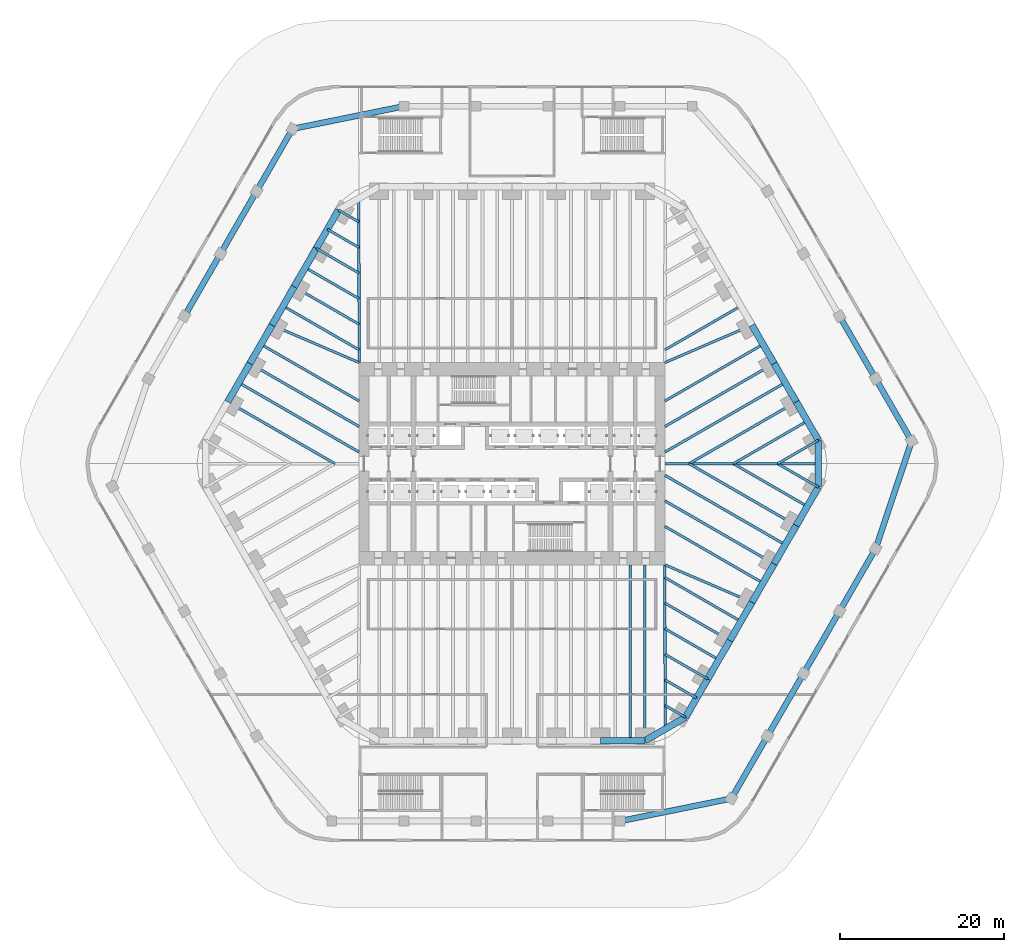
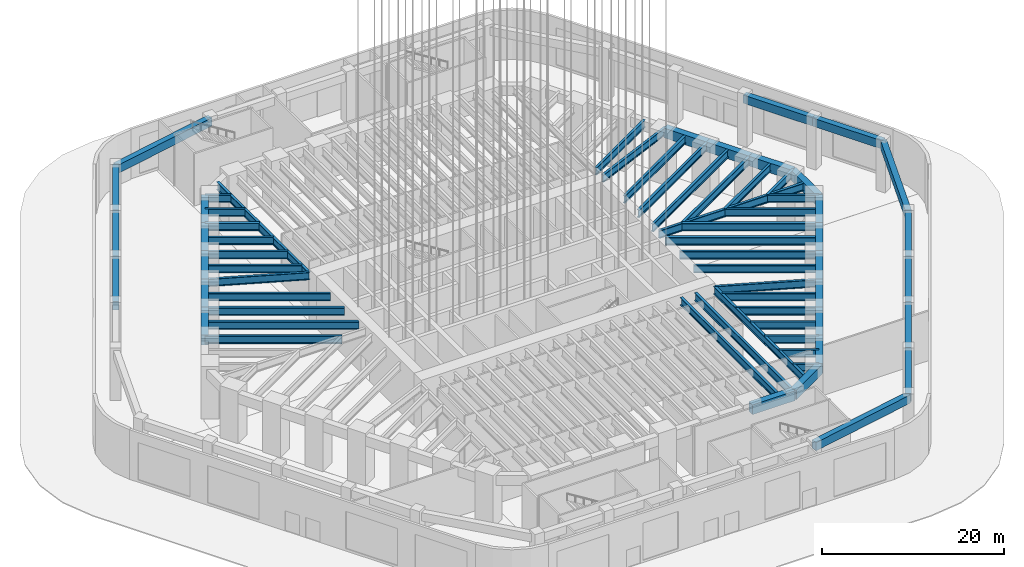
# One storey, part 2 of 23: 66 beams.
"""IFC4 building model written with IfcOpenShell, lengths in metres."""

from ifc_helpers import new_model, si_unit, direction, frame, origin, origin_2d, place, context, subcontext, project, spatial, rectangle, i_section, extrude, material, material_profile, profile_set, type_object, element, save


model = new_model("IFC4")

# Units and contexts
model_context = context("Model", 3, precision=1e-05, world=origin(), true_north=direction((0.0, 1.0)))
body_context = subcontext(model_context, "Body", "Model", "MODEL_VIEW")
ifc_project = project(units=[si_unit("LENGTHUNIT", "METRE"), si_unit("AREAUNIT", "SQUARE_METRE"), si_unit("VOLUMEUNIT", "CUBIC_METRE"), si_unit("PLANEANGLEUNIT", "RADIAN"), si_unit("MASSUNIT", "GRAM", prefix="KILO")], contexts=[model_context])

# Site, building, storey
site_placement = place(None, origin())
site = spatial("IfcSite", under=ifc_project, at=site_placement, CompositionType="ELEMENT")
building_placement = place(site_placement, origin())
building = spatial("IfcBuilding", under=site, at=building_placement, Name="Tarfa Lantern Tower", CompositionType="ELEMENT")
storey_placement = place(building_placement, origin())
storey = spatial("IfcBuildingStorey", under=building, at=storey_placement, Name="L00", CompositionType="ELEMENT", Elevation=0.0)

# Beams
ifc_material_1 = material(Name="Concrete C80/95", Category="concrete")
ifc_material_profile_1 = material_profile(ifc_material_1, rectangle(XDim=0.800048828125, YDim=1.300048828125, at=origin_2d()), Name="RC 800x1300")
ifc_profile_set_1 = profile_set([ifc_material_profile_1], Name="Concrete C80/95")
beam_type_1 = type_object("IfcBeamType", Name="EB1 RC 800x1300", PredefinedType="SPANDREL", material=ifc_profile_set_1)
beam_1_placement = place(storey_placement, frame((37.285400390625, 2.860107421875, 6.0), z_axis=(-0.500017906299, 0.866015065331, 0.0), x_axis=(-0.866015065331, -0.500017906299, 0.0)))
element("IfcBeam", 1, at=beam_1_placement, inside=storey, type_object=beam_type_1, Name="Edge beam NE0", PredefinedType="SPANDREL", context=body_context, shape_type="SweptSolid", body=[
    extrude(rectangle(XDim=0.800048828125, YDim=1.300048828125, at=origin_2d()), origin(), (0.0, 0.0, 1.0), 5.388427734375),
])
for number, where, z_axis, x_axis, name in (
    (2, (34.591064453125, 7.526611328125, 6.0), (-0.499998287579, 0.866026392449, 0.0), (-0.866026392449, -0.499998287579, 0.0), "Edge beam NE1"),
    (3, (31.896728515625, 12.193359375, 6.0), (-0.499998287579, 0.866026392449, 0.0), (-0.866026392449, -0.499998287579, 0.0), "Edge beam NE2"),
    (4, (-21.119384765625, 30.860107421875, 6.0), (-0.499998287579, -0.866026392449, 0.0), (0.866026392449, -0.499998287579, 0.0), "Edge beam NW0"),
    (5, (-23.813720703125, 26.193359375, 6.0), (-0.499998287579, -0.866026392449, 0.0), (0.866026392449, -0.499998287579, 0.0), "Edge beam NW1"),
):
    element("IfcBeam", number, at=place(storey_placement, frame(where, z_axis=z_axis, x_axis=x_axis)), inside=storey, type_object=beam_type_1, Name=name, PredefinedType="SPANDREL", context=body_context, shape_type="SweptSolid", body=[
        extrude(rectangle(XDim=0.800048828125, YDim=1.300048828125, at=origin_2d()), origin(), (0.0, 0.0, 1.0), 5.388671875),
    ])
beam_2_placement = place(storey_placement, frame((-26.508056640625, 21.526611328125, 6.0), z_axis=(-0.500017906299, -0.866015065331, 0.0), x_axis=(0.866015065331, -0.500017906299, 0.0)))
element("IfcBeam", 6, at=beam_2_placement, inside=storey, type_object=beam_type_1, Name="Edge beam NW2", PredefinedType="SPANDREL", context=body_context, shape_type="SweptSolid", body=[
    extrude(rectangle(XDim=0.800048828125, YDim=1.300048828125, at=origin_2d()), origin(), (0.0, 0.0, 1.0), 5.388427734375),
])
for number, where, z_axis, x_axis, name in (
    (7, (-29.202392578125, 16.860107421875, 6.0), (-0.499998287579, -0.866026392449, 0.0), (0.866026392449, -0.499998287579, 0.0), "Edge beam NW3"),
    (8, (-31.896728515625, 12.193359375, 6.0), (-0.499998287579, -0.866026392449, 0.0), (0.866026392449, -0.499998287579, 0.0), "Edge beam NW4"),
    (9, (10.777099609375, -33.719970703125, 6.0), (1.0, 0.0, 0.0), (0.0, 1.0, 0.0), "Edge beam S5"),
):
    element("IfcBeam", number, at=place(storey_placement, frame(where, z_axis=z_axis, x_axis=x_axis)), inside=storey, type_object=beam_type_1, Name=name, PredefinedType="SPANDREL", context=body_context, shape_type="SweptSolid", body=[
        extrude(rectangle(XDim=0.800048828125, YDim=1.300048828125, at=origin_2d()), origin(), (0.0, 0.0, 1.0), 5.388671875),
    ])
beam_3_placement = place(storey_placement, frame((16.165771484375, -33.719970703125, 6.0), z_axis=(0.866033479681, 0.499986011877, 0.0), x_axis=(-0.499986011877, 0.866033479681, 0.0)))
element("IfcBeam", 10, at=beam_3_placement, inside=storey, type_object=beam_type_1, Name="Edge beam S6", PredefinedType="SPANDREL", context=body_context, shape_type="SweptSolid", body=[
    extrude(rectangle(XDim=0.800048828125, YDim=1.300048828125, at=origin_2d()), origin(), (0.0, 0.0, 1.0), 5.719970703125),
])
for number, where, z_axis, x_axis, name in (
    (11, (21.119384765625, -30.860107421875, 6.0), (0.499998287579, 0.866026392449, 0.0), (-0.866026392449, 0.499998287579, 0.0), "Edge beam SE0"),
    (12, (23.813720703125, -26.193359375, 6.0), (0.499998287579, 0.866026392449, 0.0), (-0.866026392449, 0.499998287579, 0.0), "Edge beam SE1"),
):
    element("IfcBeam", number, at=place(storey_placement, frame(where, z_axis=z_axis, x_axis=x_axis)), inside=storey, type_object=beam_type_1, Name=name, PredefinedType="SPANDREL", context=body_context, shape_type="SweptSolid", body=[
        extrude(rectangle(XDim=0.800048828125, YDim=1.300048828125, at=origin_2d()), origin(), (0.0, 0.0, 1.0), 5.388671875),
    ])
beam_4_placement = place(storey_placement, frame((26.508056640625, -21.526611328125, 6.0), z_axis=(0.500017906299, 0.866015065331, 0.0), x_axis=(-0.866015065331, 0.500017906299, 0.0)))
element("IfcBeam", 13, at=beam_4_placement, inside=storey, type_object=beam_type_1, Name="Edge beam SE2", PredefinedType="SPANDREL", context=body_context, shape_type="SweptSolid", body=[
    extrude(rectangle(XDim=0.800048828125, YDim=1.300048828125, at=origin_2d()), origin(), (0.0, 0.0, 1.0), 5.388427734375),
])
for number, where, z_axis, x_axis, name in (
    (14, (29.202392578125, -16.860107421875, 6.0), (0.499998287579, 0.866026392449, 0.0), (-0.866026392449, 0.499998287579, 0.0), "Edge beam SE3"),
    (15, (31.896728515625, -12.193359375, 6.0), (0.499998287579, 0.866026392449, 0.0), (-0.866026392449, 0.499998287579, 0.0), "Edge beam SE4"),
):
    element("IfcBeam", number, at=place(storey_placement, frame(where, z_axis=z_axis, x_axis=x_axis)), inside=storey, type_object=beam_type_1, Name=name, PredefinedType="SPANDREL", context=body_context, shape_type="SweptSolid", body=[
        extrude(rectangle(XDim=0.800048828125, YDim=1.300048828125, at=origin_2d()), origin(), (0.0, 0.0, 1.0), 5.388671875),
    ])
beam_5_placement = place(storey_placement, frame((34.591064453125, -7.526611328125, 6.0), z_axis=(0.500017906299, 0.866015065331, 0.0), x_axis=(-0.866015065331, 0.500017906299, 0.0)))
element("IfcBeam", 16, at=beam_5_placement, inside=storey, type_object=beam_type_1, Name="Edge beam SE5", PredefinedType="SPANDREL", context=body_context, shape_type="SweptSolid", body=[
    extrude(rectangle(XDim=0.800048828125, YDim=1.300048828125, at=origin_2d()), origin(), (0.0, 0.0, 1.0), 5.388427734375),
])
beam_6_placement = place(storey_placement, frame((37.285400390625, -2.860107421875, 6.0), z_axis=(0.0, 1.0, 0.0), x_axis=(-1.0, 0.0, 0.0)))
element("IfcBeam", 17, at=beam_6_placement, inside=storey, type_object=beam_type_1, Name="Edge beam SE6", PredefinedType="SPANDREL", context=body_context, shape_type="SweptSolid", body=[
    extrude(rectangle(XDim=0.800048828125, YDim=1.300048828125, at=origin_2d()), origin(), (0.0, 0.0, 1.0), 5.72021484375),
])
ifc_material_profile_2 = material_profile(ifc_material_1, rectangle(XDim=0.699951171875, YDim=1.10009765625, at=origin_2d()), Name="RC 700x1100")
ifc_profile_set_2 = profile_set([ifc_material_profile_2], Name="Concrete C80/95")
beam_type_2 = type_object("IfcBeamType", Name="PB1 RC 700x1100", PredefinedType="BEAM", material=ifc_profile_set_2)
beam_7_placement = place(storey_placement, frame((48.641845703125, 2.75, 6.10009765625), z_axis=(-0.50000179687, 0.866024366359, 0.0), x_axis=(-0.866024366359, -0.50000179687, 0.0)))
element("IfcBeam", 18, at=beam_7_placement, inside=storey, type_object=beam_type_2, Name="Podium ring beam NE0", PredefinedType="BEAM", context=body_context, shape_type="SweptSolid", body=[
    extrude(rectangle(XDim=0.699951171875, YDim=1.10009765625, at=origin_2d()), origin(), (0.0, 0.0, 1.0), 8.77587890625),
])
beam_8_placement = place(storey_placement, frame((44.25390625, 10.35009765625, 6.10009765625), z_axis=(-0.500013843384, 0.866017411155, 0.0), x_axis=(-0.866017411155, -0.500013843384, 0.0)))
element("IfcBeam", 19, at=beam_8_placement, inside=storey, type_object=beam_type_2, Name="Podium ring beam NE1", PredefinedType="BEAM", context=body_context, shape_type="SweptSolid", body=[
    extrude(rectangle(XDim=0.699951171875, YDim=1.10009765625, at=origin_2d()), origin(), (0.0, 0.0, 1.0), 8.775634765625),
])
beam_9_placement = place(storey_placement, frame((-13.16357421875, 43.5, 6.10009765625), z_axis=(-0.979988342999, -0.199054885863, 0.0), x_axis=(0.199054885863, -0.979988342999, 0.0)))
element("IfcBeam", 20, at=beam_9_placement, inside=storey, type_object=beam_type_2, Name="Podium ring beam N4", PredefinedType="BEAM", context=body_context, shape_type="SweptSolid", body=[
    extrude(rectangle(XDim=0.699951171875, YDim=1.10009765625, at=origin_2d()), origin(), (0.0, 0.0, 1.0), 13.815185546875),
])
beam_10_placement = place(storey_placement, frame((-26.702392578125, 40.75, 6.10009765625), z_axis=(-0.50000179687, -0.866024366359, 0.0), x_axis=(0.866024366359, -0.50000179687, 0.0)))
element("IfcBeam", 21, at=beam_10_placement, inside=storey, type_object=beam_type_2, Name="Podium ring beam NW0", PredefinedType="BEAM", context=body_context, shape_type="SweptSolid", body=[
    extrude(rectangle(XDim=0.699951171875, YDim=1.10009765625, at=origin_2d()), origin(), (0.0, 0.0, 1.0), 8.77587890625),
])
for number, where, z_axis, x_axis, name in (
    (22, (-31.09033203125, 33.14990234375, 6.10009765625), (-0.500013843384, -0.866017411155, 0.0), (0.866017411155, -0.500013843384, 0.0), "Podium ring beam NW1"),
    (23, (-35.478271484375, 25.550048828125, 6.10009765625), (-0.499980931779, -0.866036412547, 0.0), (0.866036412547, -0.499980931779, 0.0), "Podium ring beam NW2"),
):
    element("IfcBeam", number, at=place(storey_placement, frame(where, z_axis=z_axis, x_axis=x_axis)), inside=storey, type_object=beam_type_2, Name=name, PredefinedType="BEAM", context=body_context, shape_type="SweptSolid", body=[
        extrude(rectangle(XDim=0.699951171875, YDim=1.10009765625, at=origin_2d()), origin(), (0.0, 0.0, 1.0), 8.775634765625),
    ])
beam_11_placement = place(storey_placement, frame((13.16357421875, -43.5, 6.10009765625), z_axis=(0.979988342999, 0.199054885863, 0.0), x_axis=(-0.199054885863, 0.979988342999, 0.0)))
element("IfcBeam", 24, at=beam_11_placement, inside=storey, type_object=beam_type_2, Name="Podium ring beam S4", PredefinedType="BEAM", context=body_context, shape_type="SweptSolid", body=[
    extrude(rectangle(XDim=0.699951171875, YDim=1.10009765625, at=origin_2d()), origin(), (0.0, 0.0, 1.0), 13.815185546875),
])
beam_12_placement = place(storey_placement, frame((26.702392578125, -40.75, 6.10009765625), z_axis=(0.50000179687, 0.866024366359, 0.0), x_axis=(-0.866024366359, 0.50000179687, 0.0)))
element("IfcBeam", 25, at=beam_12_placement, inside=storey, type_object=beam_type_2, Name="Podium ring beam SE0", PredefinedType="BEAM", context=body_context, shape_type="SweptSolid", body=[
    extrude(rectangle(XDim=0.699951171875, YDim=1.10009765625, at=origin_2d()), origin(), (0.0, 0.0, 1.0), 8.77587890625),
])
for number, where, z_axis, x_axis, name in (
    (26, (31.09033203125, -33.14990234375, 6.10009765625), (0.500013843384, 0.866017411155, 0.0), (-0.866017411155, 0.500013843384, 0.0), "Podium ring beam SE1"),
    (27, (35.478271484375, -25.550048828125, 6.10009765625), (0.499980931779, 0.866036412547, 0.0), (-0.866036412547, 0.499980931779, 0.0), "Podium ring beam SE2"),
    (28, (39.865966796875, -17.949951171875, 6.10009765625), (0.500013843384, 0.866017411155, 0.0), (-0.866017411155, 0.500013843384, 0.0), "Podium ring beam SE3"),
):
    element("IfcBeam", number, at=place(storey_placement, frame(where, z_axis=z_axis, x_axis=x_axis)), inside=storey, type_object=beam_type_2, Name=name, PredefinedType="BEAM", context=body_context, shape_type="SweptSolid", body=[
        extrude(rectangle(XDim=0.699951171875, YDim=1.10009765625, at=origin_2d()), origin(), (0.0, 0.0, 1.0), 8.775634765625),
    ])
beam_13_placement = place(storey_placement, frame((44.25390625, -10.35009765625, 6.10009765625), z_axis=(0.317611113529, 0.948221061021, 0.0), x_axis=(-0.948221061021, 0.317611113529, 0.0)))
element("IfcBeam", 29, at=beam_13_placement, inside=storey, type_object=beam_type_2, Name="Podium ring beam SE4", PredefinedType="BEAM", context=body_context, shape_type="SweptSolid", body=[
    extrude(rectangle(XDim=0.699951171875, YDim=1.10009765625, at=origin_2d()), origin(), (0.0, 0.0, 1.0), 13.8154296875),
])
ifc_material_2 = material(Name="Steel S460M", Category="steel")
ifc_material_profile_3 = material_profile(ifc_material_2, i_section(OverallWidth=0.302001953125, OverallDepth=1.008056640625, WebThickness=0.02099609375, FlangeThickness=0.0400390625, FilletRadius=0.030029296875, at=origin_2d()), Name="UB1016x305x349")
ifc_profile_set_3 = profile_set([ifc_material_profile_3], Name="Steel S460M")
beam_type_3 = type_object("IfcBeamType", Name="UB1016x305x349", PredefinedType="BEAM", material=ifc_profile_set_3)
beam_14_placement = place(storey_placement, frame((37.285400390625, 2.860107421875, 6.14599609375), z_axis=(-0.866025668288, -0.499999541866, 0.0), x_axis=(0.499999541866, -0.866025668288, 0.0)))
element("IfcBeam", 30, at=beam_14_placement, inside=storey, type_object=beam_type_3, Name="Floor beam NE0", PredefinedType="BEAM", context=body_context, shape_type="SweptSolid", body=[
    extrude(i_section(OverallWidth=0.302001953125, OverallDepth=1.008056640625, WebThickness=0.02099609375, FlangeThickness=0.0400390625, FilletRadius=0.030029296875, at=origin_2d()), origin(), (0.0, 0.0, 1.0), 5.72021484375),
])
beam_15_placement = place(storey_placement, frame((29.202392578125, 16.860107421875, 6.14599609375), z_axis=(-0.918635483867, -0.395106122175, 0.0), x_axis=(0.395106122175, -0.918635483867, 0.0)))
element("IfcBeam", 31, at=beam_15_placement, inside=storey, type_object=beam_type_3, Name="Floor beam NE3", PredefinedType="BEAM", context=body_context, shape_type="SweptSolid", body=[
    extrude(i_section(OverallWidth=0.302001953125, OverallDepth=1.008056640625, WebThickness=0.02099609375, FlangeThickness=0.0400390625, FilletRadius=0.030029296875, at=origin_2d()), origin(), (0.0, 0.0, 1.0), 11.541259765625),
])
beam_16_placement = place(storey_placement, frame((-21.119384765625, 30.860107421875, 6.14599609375), z_axis=(0.866012580594, -0.500022209759, 0.0), x_axis=(0.500022209759, 0.866012580594, 0.0)))
element("IfcBeam", 32, at=beam_16_placement, inside=storey, type_object=beam_type_3, Name="Floor beam NW0", PredefinedType="BEAM", context=body_context, shape_type="SweptSolid", body=[
    extrude(i_section(OverallWidth=0.302001953125, OverallDepth=1.008056640625, WebThickness=0.02099609375, FlangeThickness=0.0400390625, FilletRadius=0.030029296875, at=origin_2d()), origin(), (0.0, 0.0, 1.0), 2.866943359375),
])
beam_17_placement = place(storey_placement, frame((-23.813720703125, 26.193359375, 6.14599609375), z_axis=(0.866015997389, -0.500016292001, 0.0), x_axis=(0.500016292001, 0.866015997389, 0.0)))
element("IfcBeam", 33, at=beam_17_placement, inside=storey, type_object=beam_type_3, Name="Floor beam NW1", PredefinedType="BEAM", context=body_context, shape_type="SweptSolid", body=[
    extrude(i_section(OverallWidth=0.302001953125, OverallDepth=1.008056640625, WebThickness=0.02099609375, FlangeThickness=0.0400390625, FilletRadius=0.030029296875, at=origin_2d()), origin(), (0.0, 0.0, 1.0), 5.993408203125),
])
beam_18_placement = place(storey_placement, frame((-26.508056640625, 21.526611328125, 6.14599609375), z_axis=(0.866035355799, -0.49998276221, 0.0), x_axis=(0.49998276221, 0.866035355799, 0.0)))
element("IfcBeam", 34, at=beam_18_placement, inside=storey, type_object=beam_type_3, Name="Floor beam NW2", PredefinedType="BEAM", context=body_context, shape_type="SweptSolid", body=[
    extrude(i_section(OverallWidth=0.302001953125, OverallDepth=1.008056640625, WebThickness=0.02099609375, FlangeThickness=0.0400390625, FilletRadius=0.030029296875, at=origin_2d()), origin(), (0.0, 0.0, 1.0), 9.119873046875),
])
beam_19_placement = place(storey_placement, frame((-29.202392578125, 16.860107421875, 6.14599609375), z_axis=(0.918635483867, -0.395106122175, 0.0), x_axis=(0.395106122175, 0.918635483867, 0.0)))
element("IfcBeam", 35, at=beam_19_placement, inside=storey, type_object=beam_type_3, Name="Floor beam NW3", PredefinedType="BEAM", context=body_context, shape_type="SweptSolid", body=[
    extrude(i_section(OverallWidth=0.302001953125, OverallDepth=1.008056640625, WebThickness=0.02099609375, FlangeThickness=0.0400390625, FilletRadius=0.030029296875, at=origin_2d()), origin(), (0.0, 0.0, 1.0), 11.541259765625),
])
beam_20_placement = place(storey_placement, frame((21.119384765625, -30.860107421875, 6.14599609375), z_axis=(-0.866012580594, 0.500022209759, 0.0), x_axis=(-0.500022209759, -0.866012580594, 0.0)))
element("IfcBeam", 36, at=beam_20_placement, inside=storey, type_object=beam_type_3, Name="Floor beam SE0", PredefinedType="BEAM", context=body_context, shape_type="SweptSolid", body=[
    extrude(i_section(OverallWidth=0.302001953125, OverallDepth=1.008056640625, WebThickness=0.02099609375, FlangeThickness=0.0400390625, FilletRadius=0.030029296875, at=origin_2d()), origin(), (0.0, 0.0, 1.0), 2.866943359375),
])
beam_21_placement = place(storey_placement, frame((23.813720703125, -26.193359375, 6.14599609375), z_axis=(-0.866015997389, 0.500016292001, 0.0), x_axis=(-0.500016292001, -0.866015997389, 0.0)))
element("IfcBeam", 37, at=beam_21_placement, inside=storey, type_object=beam_type_3, Name="Floor beam SE1", PredefinedType="BEAM", context=body_context, shape_type="SweptSolid", body=[
    extrude(i_section(OverallWidth=0.302001953125, OverallDepth=1.008056640625, WebThickness=0.02099609375, FlangeThickness=0.0400390625, FilletRadius=0.030029296875, at=origin_2d()), origin(), (0.0, 0.0, 1.0), 5.993408203125),
])
beam_22_placement = place(storey_placement, frame((26.508056640625, -21.526611328125, 6.14599609375), z_axis=(-0.866035355799, 0.49998276221, 0.0), x_axis=(-0.49998276221, -0.866035355799, 0.0)))
element("IfcBeam", 38, at=beam_22_placement, inside=storey, type_object=beam_type_3, Name="Floor beam SE2", PredefinedType="BEAM", context=body_context, shape_type="SweptSolid", body=[
    extrude(i_section(OverallWidth=0.302001953125, OverallDepth=1.008056640625, WebThickness=0.02099609375, FlangeThickness=0.0400390625, FilletRadius=0.030029296875, at=origin_2d()), origin(), (0.0, 0.0, 1.0), 9.119873046875),
])
beam_23_placement = place(storey_placement, frame((29.202392578125, -16.860107421875, 6.14599609375), z_axis=(-0.918635483867, 0.395106122175, 0.0), x_axis=(-0.395106122175, -0.918635483867, 0.0)))
element("IfcBeam", 39, at=beam_23_placement, inside=storey, type_object=beam_type_3, Name="Floor beam SE3", PredefinedType="BEAM", context=body_context, shape_type="SweptSolid", body=[
    extrude(i_section(OverallWidth=0.302001953125, OverallDepth=1.008056640625, WebThickness=0.02099609375, FlangeThickness=0.0400390625, FilletRadius=0.030029296875, at=origin_2d()), origin(), (0.0, 0.0, 1.0), 11.541259765625),
])
beam_24_placement = place(storey_placement, frame((37.285400390625, -2.860107421875, 6.14599609375), z_axis=(-0.866025668288, 0.499999541866, 0.0), x_axis=(-0.499999541866, -0.866025668288, 0.0)))
element("IfcBeam", 40, at=beam_24_placement, inside=storey, type_object=beam_type_3, Name="Floor beam SE6", PredefinedType="BEAM", context=body_context, shape_type="SweptSolid", body=[
    extrude(i_section(OverallWidth=0.302001953125, OverallDepth=1.008056640625, WebThickness=0.02099609375, FlangeThickness=0.0400390625, FilletRadius=0.030029296875, at=origin_2d()), origin(), (0.0, 0.0, 1.0), 5.72021484375),
])
beam_25_placement = place(storey_placement, frame((35.938232421875, 5.193359375, 6.14599609375), z_axis=(-0.866024317969, -0.500001880682, 0.0), x_axis=(0.500001880682, -0.866024317969, 0.0)))
element("IfcBeam", 41, at=beam_25_placement, inside=storey, type_object=beam_type_3, Name="Floor beam NE0M", PredefinedType="BEAM", context=body_context, shape_type="SweptSolid", body=[
    extrude(i_section(OverallWidth=0.302001953125, OverallDepth=1.008056640625, WebThickness=0.02099609375, FlangeThickness=0.0400390625, FilletRadius=0.030029296875, at=origin_2d()), origin(), (0.0, 0.0, 1.0), 10.38671875),
])
beam_26_placement = place(storey_placement, frame((30.549560546875, 14.526611328125, 6.14599609375), z_axis=(-0.866028536827, -0.499994573371, 0.0), x_axis=(0.499994573371, -0.866028536827, 0.0)))
element("IfcBeam", 42, at=beam_26_placement, inside=storey, type_object=beam_type_3, Name="Floor beam NE2M", PredefinedType="BEAM", context=body_context, shape_type="SweptSolid", body=[
    extrude(i_section(OverallWidth=0.302001953125, OverallDepth=1.008056640625, WebThickness=0.02099609375, FlangeThickness=0.0400390625, FilletRadius=0.030029296875, at=origin_2d()), origin(), (0.0, 0.0, 1.0), 13.798095703125),
])
beam_27_placement = place(storey_placement, frame((27.855224609375, 19.193359375, 6.14599609375), z_axis=(-0.866028034017, -0.499995444275, 0.0), x_axis=(0.499995444275, -0.866028034017, 0.0)))
element("IfcBeam", 43, at=beam_27_placement, inside=storey, type_object=beam_type_3, Name="Floor beam NE3M", PredefinedType="BEAM", context=body_context, shape_type="SweptSolid", body=[
    extrude(i_section(OverallWidth=0.302001953125, OverallDepth=1.008056640625, WebThickness=0.02099609375, FlangeThickness=0.0400390625, FilletRadius=0.030029296875, at=origin_2d()), origin(), (0.0, 0.0, 1.0), 10.68310546875),
])
beam_28_placement = place(storey_placement, frame((-22.466552734375, 28.526611328125, 6.14599609375), z_axis=(0.866026823135, -0.499997541604, 0.0), x_axis=(0.499997541604, 0.866026823135, 0.0)))
element("IfcBeam", 44, at=beam_28_placement, inside=storey, type_object=beam_type_3, Name="Floor beam NW0M", PredefinedType="BEAM", context=body_context, shape_type="SweptSolid", body=[
    extrude(i_section(OverallWidth=0.302001953125, OverallDepth=1.008056640625, WebThickness=0.02099609375, FlangeThickness=0.0400390625, FilletRadius=0.030029296875, at=origin_2d()), origin(), (0.0, 0.0, 1.0), 4.43017578125),
])
beam_29_placement = place(storey_placement, frame((-25.160888671875, 23.860107421875, 6.14599609375), z_axis=(0.866009650502, -0.500027284493, 0.0), x_axis=(0.500027284493, 0.866009650502, 0.0)))
element("IfcBeam", 45, at=beam_29_placement, inside=storey, type_object=beam_type_3, Name="Floor beam NW1M", PredefinedType="BEAM", context=body_context, shape_type="SweptSolid", body=[
    extrude(i_section(OverallWidth=0.302001953125, OverallDepth=1.008056640625, WebThickness=0.02099609375, FlangeThickness=0.0400390625, FilletRadius=0.030029296875, at=origin_2d()), origin(), (0.0, 0.0, 1.0), 7.556640625),
])
beam_30_placement = place(storey_placement, frame((-27.855224609375, 19.193359375, 6.14599609375), z_axis=(0.866028034017, -0.499995444275, 0.0), x_axis=(0.499995444275, 0.866028034017, 0.0)))
element("IfcBeam", 46, at=beam_30_placement, inside=storey, type_object=beam_type_3, Name="Floor beam NW2M", PredefinedType="BEAM", context=body_context, shape_type="SweptSolid", body=[
    extrude(i_section(OverallWidth=0.302001953125, OverallDepth=1.008056640625, WebThickness=0.02099609375, FlangeThickness=0.0400390625, FilletRadius=0.030029296875, at=origin_2d()), origin(), (0.0, 0.0, 1.0), 10.68310546875),
])
beam_31_placement = place(storey_placement, frame((-30.549560546875, 14.526611328125, 6.14599609375), z_axis=(0.866028536827, -0.499994573371, 0.0), x_axis=(0.499994573371, 0.866028536827, 0.0)))
element("IfcBeam", 47, at=beam_31_placement, inside=storey, type_object=beam_type_3, Name="Floor beam NW3M", PredefinedType="BEAM", context=body_context, shape_type="SweptSolid", body=[
    extrude(i_section(OverallWidth=0.302001953125, OverallDepth=1.008056640625, WebThickness=0.02099609375, FlangeThickness=0.0400390625, FilletRadius=0.030029296875, at=origin_2d()), origin(), (0.0, 0.0, 1.0), 13.798095703125),
])
beam_32_placement = place(storey_placement, frame((22.466552734375, -28.526611328125, 6.14599609375), z_axis=(-0.866026823135, 0.499997541604, 0.0), x_axis=(-0.499997541604, -0.866026823135, 0.0)))
element("IfcBeam", 48, at=beam_32_placement, inside=storey, type_object=beam_type_3, Name="Floor beam SE0M", PredefinedType="BEAM", context=body_context, shape_type="SweptSolid", body=[
    extrude(i_section(OverallWidth=0.302001953125, OverallDepth=1.008056640625, WebThickness=0.02099609375, FlangeThickness=0.0400390625, FilletRadius=0.030029296875, at=origin_2d()), origin(), (0.0, 0.0, 1.0), 4.43017578125),
])
beam_33_placement = place(storey_placement, frame((25.160888671875, -23.860107421875, 6.14599609375), z_axis=(-0.866009650502, 0.500027284493, 0.0), x_axis=(-0.500027284493, -0.866009650502, 0.0)))
element("IfcBeam", 49, at=beam_33_placement, inside=storey, type_object=beam_type_3, Name="Floor beam SE1M", PredefinedType="BEAM", context=body_context, shape_type="SweptSolid", body=[
    extrude(i_section(OverallWidth=0.302001953125, OverallDepth=1.008056640625, WebThickness=0.02099609375, FlangeThickness=0.0400390625, FilletRadius=0.030029296875, at=origin_2d()), origin(), (0.0, 0.0, 1.0), 7.556640625),
])
beam_34_placement = place(storey_placement, frame((27.855224609375, -19.193359375, 6.14599609375), z_axis=(-0.866028034017, 0.499995444275, 0.0), x_axis=(-0.499995444275, -0.866028034017, 0.0)))
element("IfcBeam", 50, at=beam_34_placement, inside=storey, type_object=beam_type_3, Name="Floor beam SE2M", PredefinedType="BEAM", context=body_context, shape_type="SweptSolid", body=[
    extrude(i_section(OverallWidth=0.302001953125, OverallDepth=1.008056640625, WebThickness=0.02099609375, FlangeThickness=0.0400390625, FilletRadius=0.030029296875, at=origin_2d()), origin(), (0.0, 0.0, 1.0), 10.68310546875),
])
beam_35_placement = place(storey_placement, frame((30.549560546875, -14.526611328125, 6.14599609375), z_axis=(-0.866028536827, 0.499994573371, 0.0), x_axis=(-0.499994573371, -0.866028536827, 0.0)))
element("IfcBeam", 51, at=beam_35_placement, inside=storey, type_object=beam_type_3, Name="Floor beam SE3M", PredefinedType="BEAM", context=body_context, shape_type="SweptSolid", body=[
    extrude(i_section(OverallWidth=0.302001953125, OverallDepth=1.008056640625, WebThickness=0.02099609375, FlangeThickness=0.0400390625, FilletRadius=0.030029296875, at=origin_2d()), origin(), (0.0, 0.0, 1.0), 13.798095703125),
])
beam_36_placement = place(storey_placement, frame((35.938232421875, -5.193359375, 6.14599609375), z_axis=(-0.866024317969, 0.500001880682, 0.0), x_axis=(-0.500001880682, -0.866024317969, 0.0)))
element("IfcBeam", 52, at=beam_36_placement, inside=storey, type_object=beam_type_3, Name="Floor beam SE5M", PredefinedType="BEAM", context=body_context, shape_type="SweptSolid", body=[
    extrude(i_section(OverallWidth=0.302001953125, OverallDepth=1.008056640625, WebThickness=0.02099609375, FlangeThickness=0.0400390625, FilletRadius=0.030029296875, at=origin_2d()), origin(), (0.0, 0.0, 1.0), 10.38671875),
])
ifc_material_profile_4 = material_profile(ifc_material_2, i_section(OverallWidth=0.314208984375, OverallDepth=1.055908203125, WebThickness=0.035888671875, FlangeThickness=0.06396484375, FilletRadius=0.030029296875, at=origin_2d()), Name="UB1016x305x584")
ifc_profile_set_4 = profile_set([ifc_material_profile_4], Name="Steel S460M")
beam_type_4 = type_object("IfcBeamType", Name="UB1016x305x584", PredefinedType="BEAM", material=ifc_profile_set_4)
beam_37_placement = place(storey_placement, frame((18.60009765625, 0.0, 6.1220703125), z_axis=(1.0, 0.0, 0.0), x_axis=(0.0, 1.0, 0.0)))
element("IfcBeam", 53, at=beam_37_placement, inside=storey, type_object=beam_type_4, Name="Hip girder E", PredefinedType="BEAM", context=body_context, shape_type="SweptSolid", body=[
    extrude(i_section(OverallWidth=0.314208984375, OverallDepth=1.055908203125, WebThickness=0.035888671875, FlangeThickness=0.06396484375, FilletRadius=0.030029296875, at=origin_2d()), origin(), (0.0, 0.0, 1.0), 18.685302734375),
])
for number, where, z_axis, x_axis, name in (
    (54, (-18.60009765625, 12.300048828125, 6.1220703125), (-0.00212508222, 0.99999774201, 0.0), (-0.99999774201, -0.00212508222, 0.0), "Hip girder NW"),
    (55, (18.60009765625, -12.300048828125, 6.1220703125), (0.00212508222, -0.99999774201, 0.0), (0.99999774201, 0.00212508222, 0.0), "Hip girder SE"),
):
    element("IfcBeam", number, at=place(storey_placement, frame(where, z_axis=z_axis, x_axis=x_axis)), inside=storey, type_object=beam_type_4, Name=name, PredefinedType="BEAM", context=body_context, shape_type="SweptSolid", body=[
        extrude(i_section(OverallWidth=0.314208984375, OverallDepth=1.055908203125, WebThickness=0.035888671875, FlangeThickness=0.06396484375, FilletRadius=0.030029296875, at=origin_2d()), origin(), (0.0, 0.0, 1.0), 19.989990234375),
    ])
beam_38_placement = place(storey_placement, frame((34.591064453125, 7.526611328125, 6.1220703125), z_axis=(-0.86602785945, -0.499995746638, 0.0), x_axis=(0.499995746638, -0.86602785945, 0.0)))
element("IfcBeam", 56, at=beam_38_placement, inside=storey, type_object=beam_type_4, Name="Floor beam NE1", PredefinedType="BEAM", context=body_context, shape_type="SweptSolid", body=[
    extrude(i_section(OverallWidth=0.314208984375, OverallDepth=1.055908203125, WebThickness=0.035888671875, FlangeThickness=0.06396484375, FilletRadius=0.030029296875, at=origin_2d()), origin(), (0.0, 0.0, 1.0), 15.053466796875),
])
for number, where, z_axis, x_axis, name in (
    (57, (31.896728515625, 12.193359375, 6.1220703125), (-0.866026971665, -0.499997284341, 0.0), (0.499997284341, -0.866026971665, 0.0), "Floor beam NE2"),
    (58, (-31.896728515625, 12.193359375, 6.1220703125), (0.866026971665, -0.499997284341, 0.0), (0.499997284341, 0.866026971665, 0.0), "Floor beam NW4"),
):
    element("IfcBeam", number, at=place(storey_placement, frame(where, z_axis=z_axis, x_axis=x_axis)), inside=storey, type_object=beam_type_4, Name=name, PredefinedType="BEAM", context=body_context, shape_type="SweptSolid", body=[
        extrude(i_section(OverallWidth=0.314208984375, OverallDepth=1.055908203125, WebThickness=0.035888671875, FlangeThickness=0.06396484375, FilletRadius=0.030029296875, at=origin_2d()), origin(), (0.0, 0.0, 1.0), 15.353515625),
    ])
beam_39_placement = place(storey_placement, frame((-34.591064453125, 7.526611328125, 6.1220703125), z_axis=(0.86602785945, -0.499995746638, 0.0), x_axis=(0.499995746638, 0.86602785945, 0.0)))
element("IfcBeam", 59, at=beam_39_placement, inside=storey, type_object=beam_type_4, Name="Floor beam NW5", PredefinedType="BEAM", context=body_context, shape_type="SweptSolid", body=[
    extrude(i_section(OverallWidth=0.314208984375, OverallDepth=1.055908203125, WebThickness=0.035888671875, FlangeThickness=0.06396484375, FilletRadius=0.030029296875, at=origin_2d()), origin(), (0.0, 0.0, 1.0), 15.053466796875),
])
beam_40_placement = place(storey_placement, frame((16.165771484375, -33.719970703125, 6.1220703125), z_axis=(0.0, 1.0, 0.0), x_axis=(-1.0, 0.0, 0.0)))
element("IfcBeam", 60, at=beam_40_placement, inside=storey, type_object=beam_type_4, Name="Floor beam S6", PredefinedType="BEAM", context=body_context, shape_type="SweptSolid", body=[
    extrude(i_section(OverallWidth=0.314208984375, OverallDepth=1.055908203125, WebThickness=0.035888671875, FlangeThickness=0.06396484375, FilletRadius=0.030029296875, at=origin_2d()), origin(), (0.0, 0.0, 1.0), 21.419921875),
])
beam_41_placement = place(storey_placement, frame((31.896728515625, -12.193359375, 6.1220703125), z_axis=(-0.866026971665, 0.499997284341, 0.0), x_axis=(-0.499997284341, -0.866026971665, 0.0)))
element("IfcBeam", 61, at=beam_41_placement, inside=storey, type_object=beam_type_4, Name="Floor beam SE4", PredefinedType="BEAM", context=body_context, shape_type="SweptSolid", body=[
    extrude(i_section(OverallWidth=0.314208984375, OverallDepth=1.055908203125, WebThickness=0.035888671875, FlangeThickness=0.06396484375, FilletRadius=0.030029296875, at=origin_2d()), origin(), (0.0, 0.0, 1.0), 15.353515625),
])
beam_42_placement = place(storey_placement, frame((34.591064453125, -7.526611328125, 6.1220703125), z_axis=(-0.86602785945, 0.499995746638, 0.0), x_axis=(-0.499995746638, -0.86602785945, 0.0)))
element("IfcBeam", 62, at=beam_42_placement, inside=storey, type_object=beam_type_4, Name="Floor beam SE5", PredefinedType="BEAM", context=body_context, shape_type="SweptSolid", body=[
    extrude(i_section(OverallWidth=0.314208984375, OverallDepth=1.055908203125, WebThickness=0.035888671875, FlangeThickness=0.06396484375, FilletRadius=0.030029296875, at=origin_2d()), origin(), (0.0, 0.0, 1.0), 15.053466796875),
])
for number, where, z_axis, x_axis, name in (
    (63, (33.243896484375, 9.860107421875, 6.1220703125), (-0.866019442478, -0.500010325144, 0.0), (0.500010325144, -0.866019442478, 0.0), "Floor beam NE1M"),
    (64, (-33.243896484375, 9.860107421875, 6.1220703125), (0.866019442478, -0.500010325144, 0.0), (0.500010325144, 0.866019442478, 0.0), "Floor beam NW4M"),
):
    element("IfcBeam", number, at=place(storey_placement, frame(where, z_axis=z_axis, x_axis=x_axis)), inside=storey, type_object=beam_type_4, Name=name, PredefinedType="BEAM", context=body_context, shape_type="SweptSolid", body=[
        extrude(i_section(OverallWidth=0.314208984375, OverallDepth=1.055908203125, WebThickness=0.035888671875, FlangeThickness=0.06396484375, FilletRadius=0.030029296875, at=origin_2d()), origin(), (0.0, 0.0, 1.0), 16.909423828125),
    ])
beam_43_placement = place(storey_placement, frame((14.36962890625, -33.719970703125, 6.1220703125), z_axis=(0.0, 1.0, 0.0), x_axis=(-1.0, 0.0, 0.0)))
element("IfcBeam", 65, at=beam_43_placement, inside=storey, type_object=beam_type_4, Name="Floor beam S5M2", PredefinedType="BEAM", context=body_context, shape_type="SweptSolid", body=[
    extrude(i_section(OverallWidth=0.314208984375, OverallDepth=1.055908203125, WebThickness=0.035888671875, FlangeThickness=0.06396484375, FilletRadius=0.030029296875, at=origin_2d()), origin(), (0.0, 0.0, 1.0), 21.419921875),
])
beam_44_placement = place(storey_placement, frame((33.243896484375, -9.860107421875, 6.1220703125), z_axis=(-0.866019442478, 0.500010325144, 0.0), x_axis=(-0.500010325144, -0.866019442478, 0.0)))
element("IfcBeam", 66, at=beam_44_placement, inside=storey, type_object=beam_type_4, Name="Floor beam SE4M", PredefinedType="BEAM", context=body_context, shape_type="SweptSolid", body=[
    extrude(i_section(OverallWidth=0.314208984375, OverallDepth=1.055908203125, WebThickness=0.035888671875, FlangeThickness=0.06396484375, FilletRadius=0.030029296875, at=origin_2d()), origin(), (0.0, 0.0, 1.0), 16.909423828125),
])

save(model, "model.ifc")
